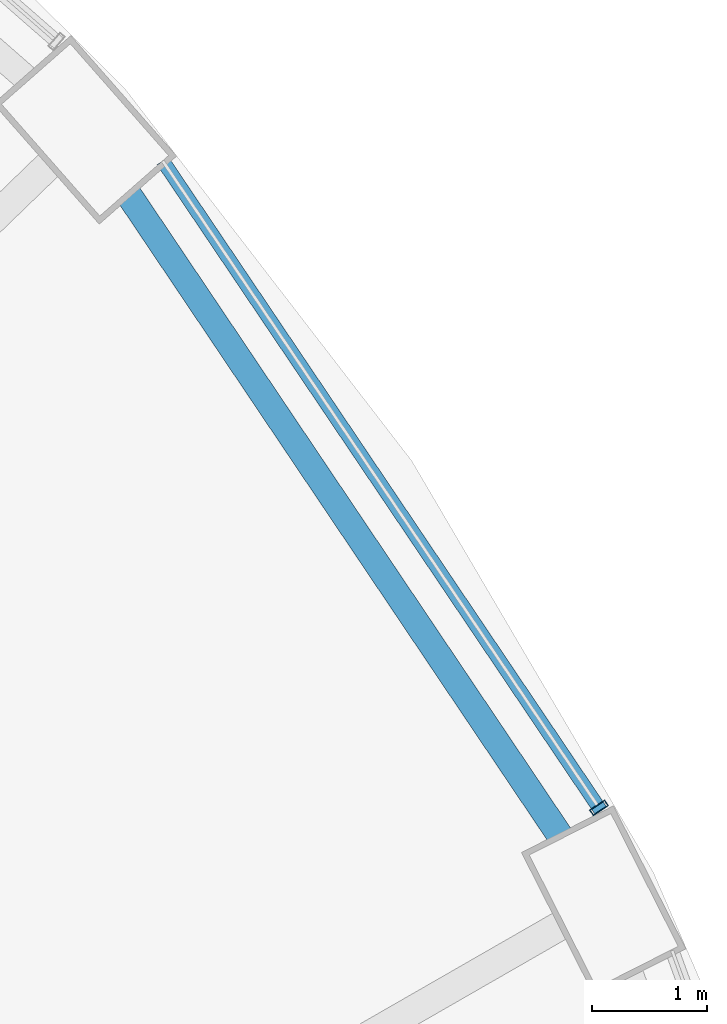
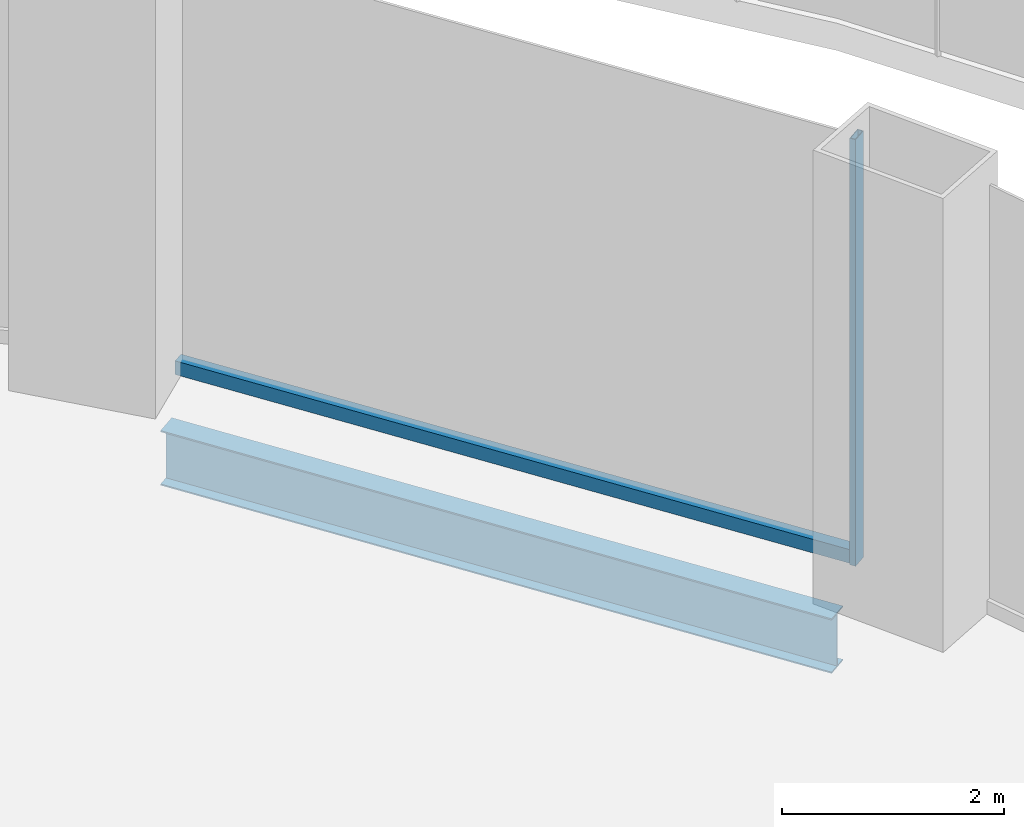
# One storey, part 23 of 48: 2 members, 1 beam, 1 element without a shape of its own.
"""IFC4 building model written with IfcOpenShell, lengths in metres."""

from ifc_helpers import new_model, si_unit, direction, frame, origin, origin_2d, place, context, subcontext, project, spatial, hollow_rectangle, i_section, extrude, material, layer, layer_set, material_profile, profile_set, type_object, element, aggregate, save


model = new_model("IFC4")

# Units and contexts
model_context = context("Model", 3, precision=1e-05, world=origin(), true_north=direction((0.0, 1.0)))
body_context = subcontext(model_context, "Body", "Model", "MODEL_VIEW")
ifc_project = project(units=[si_unit("LENGTHUNIT", "METRE"), si_unit("AREAUNIT", "SQUARE_METRE"), si_unit("VOLUMEUNIT", "CUBIC_METRE"), si_unit("PLANEANGLEUNIT", "RADIAN"), si_unit("MASSUNIT", "GRAM", prefix="KILO")], contexts=[model_context])

# Site, building, storey
site_placement = place(None, origin())
site = spatial("IfcSite", under=ifc_project, at=site_placement, CompositionType="ELEMENT")
building_placement = place(site_placement, origin())
building = spatial("IfcBuilding", under=site, at=building_placement, Name="Nagisa Residences", CompositionType="ELEMENT")
storey_placement = place(building_placement, frame((0.0, 0.0, 12.0)))
storey = spatial("IfcBuildingStorey", under=building, at=storey_placement, Name="L02", CompositionType="ELEMENT", Elevation=12.0)

# Curtain wall, members
ifc_material_1 = material(Name="Stainless steel curtain wall system", Category="steel")
ifc_layer = layer(ifc_material_1, 0.159912109375)
ifc_layer_set = layer_set([ifc_layer], Name="CW6 CURTAIN WALL")
curtain_wall_type = type_object("IfcCurtainWallType", Name="CW6 CURTAIN WALL", PredefinedType="NOTDEFINED", material=ifc_layer_set)
curtain_wall_placement = place(storey_placement, origin())
curtain_wall = element("IfcCurtainWall", 1, at=curtain_wall_placement, inside=storey, type_object=curtain_wall_type, Name="cw:CW6:L02:04", PredefinedType="NOTDEFINED")
ifc_material_2 = material(Name="Stainless steel", Category="steel")
ifc_material_profile_1 = material_profile(ifc_material_2, hollow_rectangle(XDim=0.159912109375, YDim=0.06005859375, WallThickness=0.006103515625, at=origin_2d()), Name="CW6 MULLION 160x60")
ifc_profile_set_1 = profile_set([ifc_material_profile_1], Name="Stainless steel")
member_type_1 = type_object("IfcMemberType", Name="CW6 MULLION 160x60", PredefinedType="MULLION", material=ifc_profile_set_1)
member_1_placement = place(storey_placement, frame((28.240234375, 17.060546875, 0.0), z_axis=(0.0, 0.0, 1.0), x_axis=(-0.829110926393, -0.559084136544, 0.0)))
member_1 = element("IfcMember", 2, at=member_1_placement, type_object=member_type_1, Name="CW6 mullion", PredefinedType="MULLION", context=body_context, shape_type="SweptSolid", body=[
    extrude(hollow_rectangle(XDim=0.159912109375, YDim=0.06005859375, WallThickness=0.006103515625, at=origin_2d()), origin(), (0.0, 0.0, 1.0), 4.699951171875),
])
ifc_material_3 = material(Name="Stainless steel", Category="steel")
ifc_material_profile_2 = material_profile(ifc_material_3, hollow_rectangle(XDim=0.1201171875, YDim=0.14990234375, WallThickness=0.008056640625, at=origin_2d()), Name="CW6 TRANSOM 120x150")
ifc_profile_set_2 = profile_set([ifc_material_profile_2], Name="Stainless steel")
member_type_2 = type_object("IfcMemberType", Name="CW6 TRANSOM 120x150", PredefinedType="USERDEFINED", material=ifc_profile_set_2)
member_2_placement = place(storey_placement, frame((28.257080078125, 17.03564453125, 0.074951171875), z_axis=(-0.559080645991, 0.829113280124, 0.0), x_axis=(-0.829113280124, -0.559080645991, 0.0)))
member_2 = element("IfcMember", 3, at=member_2_placement, type_object=member_type_2, Name="CW6 transom", ObjectType="TRANSOM", PredefinedType="USERDEFINED", context=body_context, shape_type="SweptSolid", body=[
    extrude(hollow_rectangle(XDim=0.1201171875, YDim=0.14990234375, WallThickness=0.008056640625, at=origin_2d()), origin(), (0.0, 0.0, 1.0), 6.84326171875),
])
aggregate(curtain_wall, [member_1, member_2])

# Beam
ifc_material_4 = material(Name="Steel ASTM A572 Gr 50", Category="steel")
ifc_material_profile_3 = material_profile(ifc_material_4, i_section(OverallWidth=0.22802734375, OverallDepth=0.60302734375, WebThickness=0.010498046875, FlangeThickness=0.014892578125, at=origin_2d()), Name="W610x101")
ifc_profile_set_3 = profile_set([ifc_material_profile_3], Name="Steel ASTM A572 Gr 50")
beam_type = type_object("IfcBeamType", Name="Perimeter ring beam W610x101", PredefinedType="BEAM", material=ifc_profile_set_3)
beam_placement = place(storey_placement, frame((27.899169921875, 16.818603515625, -0.6015625), z_axis=(-0.558271879663, 0.829658067144, 0.0), x_axis=(-0.829658067144, -0.558271879663, 0.0)))
element("IfcBeam", 4, at=beam_placement, inside=storey, type_object=beam_type, Name="beam:L02:pb03", PredefinedType="BEAM", context=body_context, shape_type="SweptSolid", body=[
    extrude(i_section(OverallWidth=0.22802734375, OverallDepth=0.60302734375, WebThickness=0.010498046875, FlangeThickness=0.014892578125, at=origin_2d()), origin(), (0.0, 0.0, 1.0), 6.74169921875),
])

save(model, "model.ifc")
